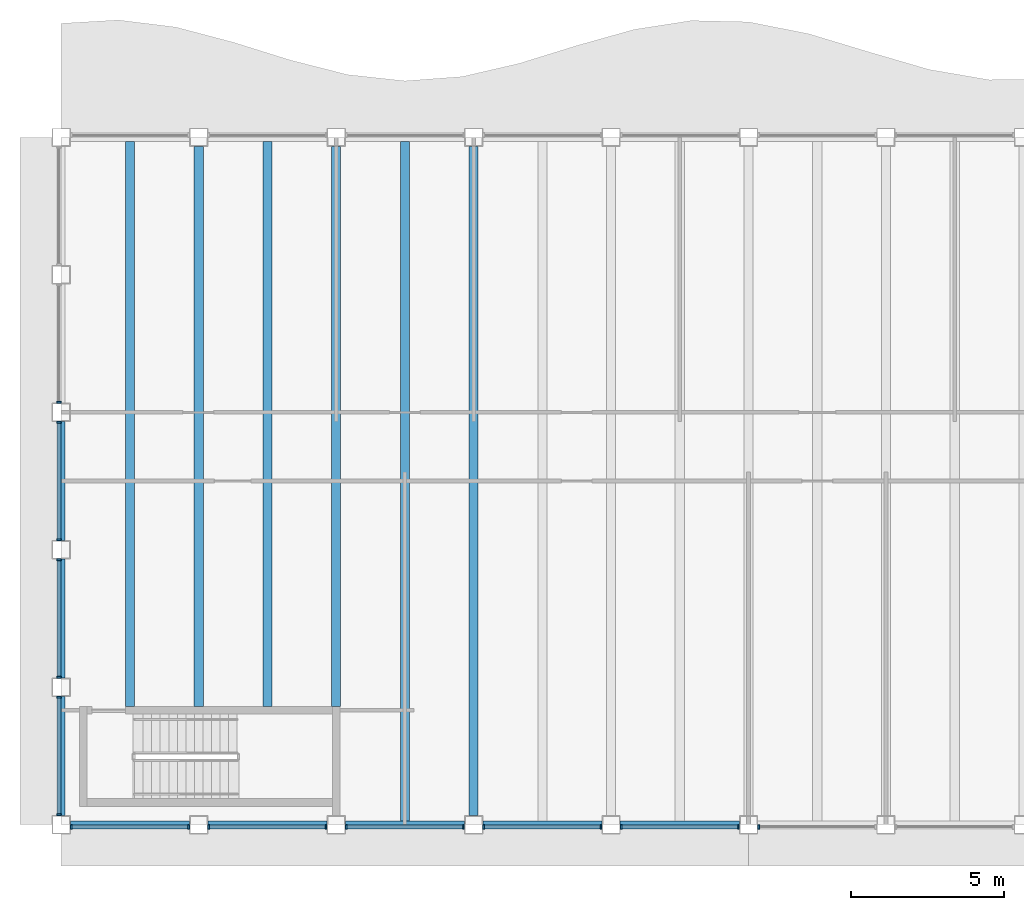
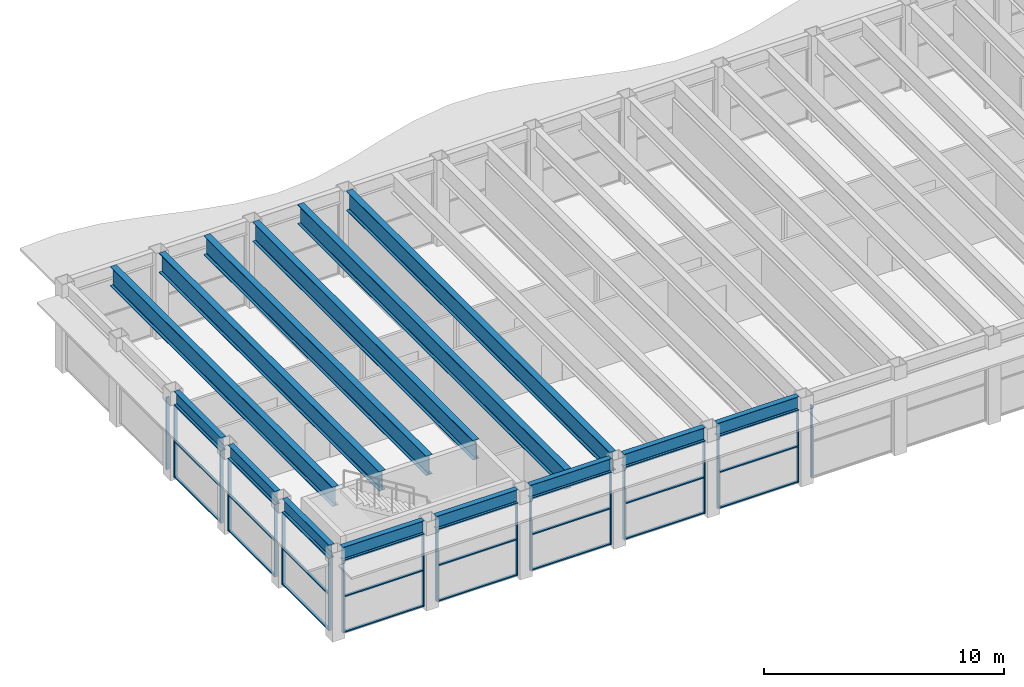
# One storey, part 2 of 15: 42 members, 14 beams, 10 elements without a shape of their own.
"""IFC4 building model written with IfcOpenShell, lengths in metres."""

import ifcopenshell
import ifcopenshell.guid

model = None  # the IFC model being written
_history = None  # IfcOwnerHistory: only IFC2X3 demands one
_inside = {}  # id of a spatial element -> (the spatial element, [elements in it])
_under = {}  # id of a project, library or spatial element -> (it, [spatial elements below it])
_declared = {}  # id of a project -> (the project, [libraries it declares])
_typed = {}  # id of a type object -> (the type object, [elements of that type])
_made_of = {}  # id of a material, layer set ... -> (it, [elements and type objects made of it])


def new_model(schema):
    """Start an empty IFC model of exactly this schema.

    Asked for "IFC4X3", IfcOpenShell would pick the latest addendum, in which some entities
    have other attributes; the version numbers below select the first issue.
    IFC2X3 requires an IfcOwnerHistory on every rooted entity: one is made here for all.
    """
    global model, _history
    if schema == "IFC4X3":
        model = ifcopenshell.file(schema_version=(4, 3, 0, 0))
    else:
        model = ifcopenshell.file(schema=schema)
    _inside.clear()
    _under.clear()
    _declared.clear()
    _typed.clear()
    _made_of.clear()
    _history = None
    if model.schema == "IFC2X3":
        org = make("IfcOrganization", Name="unknown")
        user = make(
            "IfcPersonAndOrganization",
            ThePerson=make("IfcPerson", FamilyName="unknown"),
            TheOrganization=org,
        )
        app = make(
            "IfcApplication",
            ApplicationDeveloper=org,
            Version="unknown",
            ApplicationFullName="unknown",
            ApplicationIdentifier="unknown",
        )
        _history = make(
            "IfcOwnerHistory",
            OwningUser=user,
            OwningApplication=app,
            ChangeAction="ADDED",
            CreationDate=0,
        )
    return model


def make(cls, **values):
    """One entity of the class cls with the attributes given. An attribute that is None is left unset."""
    return model.create_entity(
        cls, **{name: value for name, value in values.items() if value is not None}
    )


def rooted(cls, **values):
    """An entity with a GlobalId (a new one), such as an element, a storey or a relation."""
    return make(cls, GlobalId=ifcopenshell.guid.new(), OwnerHistory=_history, **values)


def si_unit(unit_type, name, prefix=None):
    """IfcSIUnit, for example si_unit("LENGTHUNIT", "METRE", prefix="MILLI")."""
    return make("IfcSIUnit", UnitType=unit_type, Prefix=prefix, Name=name)


def assignment(units):
    """IfcUnitAssignment: the units of a project."""
    return None if units is None else make("IfcUnitAssignment", Units=units)


def point(xyz):
    """IfcCartesianPoint."""
    return None if xyz is None else make("IfcCartesianPoint", Coordinates=xyz)


def direction(xyz):
    """IfcDirection."""
    return None if xyz is None else make("IfcDirection", DirectionRatios=xyz)


def frame(location, z_axis=None, x_axis=None):
    """IfcAxis2Placement3D, a coordinate frame: its origin and axes. An axis left out is left unset."""
    return make(
        "IfcAxis2Placement3D",
        Location=point(location),
        Axis=direction(z_axis),
        RefDirection=direction(x_axis),
    )


def frame_2d(location, x_axis=None):
    """IfcAxis2Placement2D, a coordinate frame in the plane: its origin and x axis."""
    return make(
        "IfcAxis2Placement2D", Location=point(location), RefDirection=direction(x_axis)
    )


def origin():
    """The frame at (0, 0, 0) with its axes left unset."""
    return frame((0.0, 0.0, 0.0))


def origin_2d():
    """The frame at (0, 0) in the plane with its x axis left unset."""
    return frame_2d((0.0, 0.0))


def place(relative_to, where):
    """IfcLocalPlacement: puts the frame where relative to a parent placement (None: the world)."""
    return make(
        "IfcLocalPlacement", PlacementRelTo=relative_to, RelativePlacement=where
    )


def context(
    kind, dimensions, precision=None, world=None, true_north=None, identifier=None
):
    """IfcGeometricRepresentationContext, for example the 3D "Model" context."""
    return make(
        "IfcGeometricRepresentationContext",
        ContextIdentifier=identifier,
        ContextType=kind,
        CoordinateSpaceDimension=dimensions,
        Precision=precision,
        WorldCoordinateSystem=world,
        TrueNorth=true_north,
    )


def subcontext(parent, identifier, kind, view, scale=None):
    """IfcGeometricRepresentationSubContext, for example "Body" below "Model"."""
    return make(
        "IfcGeometricRepresentationSubContext",
        ContextIdentifier=identifier,
        ContextType=kind,
        ParentContext=parent,
        TargetScale=scale,
        TargetView=view,
    )


def project(units=None, contexts=None):
    """IfcProject with its units and contexts."""
    return rooted(
        "IfcProject",
        Name="project",
        RepresentationContexts=contexts,
        UnitsInContext=assignment(units),
    )


def spatial(cls, under=None, at=None, **own):
    """A site, building, storey or space (cls), placed at a placement, below another one or the project."""
    s = rooted(cls, ObjectPlacement=at, **own)
    if under is not None:
        _under.setdefault(under.id(), (under, []))[1].append(s)
    return s


def profile(cls, at=None, kind="AREA", **sizes):
    """A parametric profile (cls). Its sizes go by their IFC names, for example OverallWidth=200.0."""
    return make(cls, ProfileType=kind, Position=at, **sizes)


def rectangle(**sizes):
    """IfcRectangleProfileDef."""
    return profile("IfcRectangleProfileDef", **sizes)


def i_section(**sizes):
    """IfcIShapeProfileDef."""
    return profile("IfcIShapeProfileDef", **sizes)


def extrude(swept, where, along, depth):
    """IfcExtrudedAreaSolid: the profile swept, set in the frame where, extruded along a direction by depth."""
    return make(
        "IfcExtrudedAreaSolid",
        SweptArea=swept,
        Position=where,
        ExtrudedDirection=direction(along),
        Depth=depth,
    )


def shape(context_of_items, identifier, shape_type, items):
    """IfcShapeRepresentation: the items that make up one representation, for example the "Body"."""
    return make(
        "IfcShapeRepresentation",
        ContextOfItems=context_of_items,
        RepresentationIdentifier=identifier,
        RepresentationType=shape_type,
        Items=items,
    )


def material(Name=None, Category=None):
    """IfcMaterial."""
    return make("IfcMaterial", Name=Name, Category=Category)


def material_profile(
    of_material, cross_section, Name=None, Category=None, Priority=None
):
    """IfcMaterialProfile: a cross section and its material."""
    return make(
        "IfcMaterialProfile",
        Name=Name,
        Material=of_material,
        Profile=cross_section,
        Priority=Priority,
        Category=Category,
    )


def profile_set(profiles, Name=None, composite=None):
    """IfcMaterialProfileSet."""
    return make(
        "IfcMaterialProfileSet",
        Name=Name,
        MaterialProfiles=profiles,
        CompositeProfile=composite,
    )


def made_of(thing, what):
    """Note that an element or type object is made of a material, layer set ...; save() writes the relation."""
    if what is not None:
        _made_of.setdefault(what.id(), (what, []))[1].append(thing)
    return thing


def type_object(cls, material=None, **own):
    """A type object (cls), such as IfcWallType, which elements share."""
    return made_of(rooted(cls, **own), material)


def element(
    cls,
    number,
    at=None,
    inside=None,
    cuts=None,
    type_object=None,
    material=None,
    context=None,
    identifier="Body",
    shape_type=None,
    held_by="IfcProductDefinitionShape",
    body=None,
    shapes=None,
    **own,
):
    """One element of the class cls, such as IfcWall. Its Tag is "e" and its number.

    at: its placement. inside: the storey or other place that contains it. cuts: it is an
    opening in that element (IfcRelVoidsElement). A single representation is given by context,
    identifier, shape_type and body (its items); several are given by shapes. held_by: the class
    of the entity that holds the representations. save() writes the other relations.
    """
    e = rooted(cls, Tag="e%d" % number, ObjectPlacement=at, **own)
    if body is not None:
        shapes = [shape(context, identifier, shape_type, body)]
    if shapes is not None:
        e.Representation = make(held_by, Representations=shapes)
    if inside is not None:
        _inside.setdefault(inside.id(), (inside, []))[1].append(e)
    if cuts is not None:
        rooted(
            "IfcRelVoidsElement", RelatingBuildingElement=cuts, RelatedOpeningElement=e
        )
    if type_object is not None:
        _typed.setdefault(type_object.id(), (type_object, []))[1].append(e)
    return made_of(e, material)


def aggregate(whole, parts):
    """IfcRelAggregates: a whole, such as a stair, and the parts it consists of."""
    return rooted("IfcRelAggregates", RelatingObject=whole, RelatedObjects=parts)


def save(model, path):
    """Write the relations noted so far, then the file.

    IfcRelAggregates (storeys below a building ...), IfcRelContainedInSpatialStructure (elements
    in a storey), IfcRelDefinesByType, IfcRelAssociatesMaterial and IfcRelDeclares: one each for
    every whole, place, type object, material and project.
    """
    for whole, parts in _under.values():
        aggregate(whole, parts)
    for where, things in _inside.values():
        rooted(
            "IfcRelContainedInSpatialStructure",
            RelatedElements=things,
            RelatingStructure=where,
        )
    for kind, things in _typed.values():
        rooted("IfcRelDefinesByType", RelatedObjects=things, RelatingType=kind)
    for what, things in _made_of.values():
        rooted("IfcRelAssociatesMaterial", RelatedObjects=things, RelatingMaterial=what)
    for by, libraries in _declared.values():
        rooted("IfcRelDeclares", RelatingContext=by, RelatedDefinitions=libraries)
    model.write(path)


model = new_model("IFC4")

# Units and contexts
model_context = context("Model", 3, precision=1e-05, world=origin(), true_north=direction((0.0, 1.0)))
body_context = subcontext(model_context, "Body", "Model", "MODEL_VIEW")
ifc_project = project(units=[si_unit("LENGTHUNIT", "METRE"), si_unit("AREAUNIT", "SQUARE_METRE"), si_unit("VOLUMEUNIT", "CUBIC_METRE"), si_unit("PLANEANGLEUNIT", "RADIAN"), si_unit("MASSUNIT", "GRAM", prefix="KILO")], contexts=[model_context])

# Site, building, storey
site_placement = place(None, origin())
site = spatial("IfcSite", under=ifc_project, at=site_placement, CompositionType="ELEMENT")
building_placement = place(site_placement, origin())
building = spatial("IfcBuilding", under=site, at=building_placement, Name="Sennacour Bend Tower", CompositionType="ELEMENT")
storey_placement = place(building_placement, frame((0.0, 0.0, 318.5)))
storey = spatial("IfcBuildingStorey", under=building, at=storey_placement, Name="L73", CompositionType="ELEMENT", Elevation=318.5)

# Curtain wall, members
ifc_material_1 = material(Name="Bronze anodised aluminium curtain wall with clear glass", Category="aluminium")
curtain_wall_type = type_object("IfcCurtainWallType", Name="CURTAIN WALL EXEC", PredefinedType="NOTDEFINED", material=ifc_material_1)
curtain_wall_1_placement = place(storey_placement, origin())
curtain_wall_1 = element("IfcCurtainWall", 1, at=curtain_wall_1_placement, inside=storey, type_object=curtain_wall_type, Name="Executive floor glass wall L73", PredefinedType="NOTDEFINED")
ifc_material_2 = material(Name="Aluminium 6063-T6", Category="aluminium")
ifc_material_profile_1 = material_profile(ifc_material_2, rectangle(XDim=0.14990234375, YDim=0.06005859375, at=origin_2d()), Name="Aluminium 6063-T6", Category="aluminium")
ifc_profile_set_1 = profile_set([ifc_material_profile_1], Name="Aluminium 6063-T6")
member_type_1 = type_object("IfcMemberType", Name="CW-MULLION-150X60", PredefinedType="MULLION", material=ifc_profile_set_1)
member_1_placement = place(storey_placement, frame((0.330078125, -0.074951171875, 0.0), z_axis=(0.0, 0.0, 1.0), x_axis=(0.0, 1.0, 0.0)))
member_1 = element("IfcMember", 2, at=member_1_placement, type_object=member_type_1, Name="GW3 curtain wall mullion 1", PredefinedType="MULLION", context=body_context, shape_type="SweptSolid", body=[
    extrude(rectangle(XDim=0.14990234375, YDim=0.06005859375, at=origin_2d()), origin(), (0.0, 0.0, 1.0), 3.672119140625),
])
member_2_placement = place(storey_placement, frame((4.169921875, -0.074951171875, 0.0), z_axis=(0.0, 0.0, 1.0), x_axis=(0.0, 1.0, 0.0)))
member_2 = element("IfcMember", 3, at=member_2_placement, type_object=member_type_1, Name="GW3 curtain wall mullion 2", PredefinedType="MULLION", context=body_context, shape_type="SweptSolid", body=[
    extrude(rectangle(XDim=0.14990234375, YDim=0.06005859375, at=origin_2d()), origin(), (0.0, 0.0, 1.0), 3.672119140625),
])

curtain_wall_2_placement = place(storey_placement, origin())
curtain_wall_2 = element("IfcCurtainWall", 4, at=curtain_wall_2_placement, inside=storey, type_object=curtain_wall_type, Name="Executive floor glass wall L73", PredefinedType="NOTDEFINED")
member_3_placement = place(storey_placement, frame((4.830078125, -0.074951171875, 0.0), z_axis=(0.0, 0.0, 1.0), x_axis=(0.0, 1.0, 0.0)))
member_3 = element("IfcMember", 5, at=member_3_placement, type_object=member_type_1, Name="GW3 curtain wall mullion 1", PredefinedType="MULLION", context=body_context, shape_type="SweptSolid", body=[
    extrude(rectangle(XDim=0.14990234375, YDim=0.06005859375, at=origin_2d()), origin(), (0.0, 0.0, 1.0), 3.672119140625),
])
member_4_placement = place(storey_placement, frame((8.669921875, -0.074951171875, 0.0), z_axis=(0.0, 0.0, 1.0), x_axis=(0.0, 1.0, 0.0)))
member_4 = element("IfcMember", 6, at=member_4_placement, type_object=member_type_1, Name="GW3 curtain wall mullion 2", PredefinedType="MULLION", context=body_context, shape_type="SweptSolid", body=[
    extrude(rectangle(XDim=0.14990234375, YDim=0.06005859375, at=origin_2d()), origin(), (0.0, 0.0, 1.0), 3.672119140625),
])

curtain_wall_3_placement = place(storey_placement, origin())
curtain_wall_3 = element("IfcCurtainWall", 7, at=curtain_wall_3_placement, inside=storey, type_object=curtain_wall_type, Name="Executive floor glass wall L73", PredefinedType="NOTDEFINED")
member_5_placement = place(storey_placement, frame((9.330078125, -0.074951171875, 0.0), z_axis=(0.0, 0.0, 1.0), x_axis=(0.0, 1.0, 0.0)))
member_5 = element("IfcMember", 8, at=member_5_placement, type_object=member_type_1, Name="GW3 curtain wall mullion 1", PredefinedType="MULLION", context=body_context, shape_type="SweptSolid", body=[
    extrude(rectangle(XDim=0.14990234375, YDim=0.06005859375, at=origin_2d()), origin(), (0.0, 0.0, 1.0), 3.672119140625),
])
member_6_placement = place(storey_placement, frame((13.169921875, -0.074951171875, 0.0), z_axis=(0.0, 0.0, 1.0), x_axis=(0.0, 1.0, 0.0)))
member_6 = element("IfcMember", 9, at=member_6_placement, type_object=member_type_1, Name="GW3 curtain wall mullion 2", PredefinedType="MULLION", context=body_context, shape_type="SweptSolid", body=[
    extrude(rectangle(XDim=0.14990234375, YDim=0.06005859375, at=origin_2d()), origin(), (0.0, 0.0, 1.0), 3.672119140625),
])

curtain_wall_4_placement = place(storey_placement, origin())
curtain_wall_4 = element("IfcCurtainWall", 10, at=curtain_wall_4_placement, inside=storey, type_object=curtain_wall_type, Name="Executive floor glass wall L73", PredefinedType="NOTDEFINED")
member_7_placement = place(storey_placement, frame((13.830078125, -0.074951171875, 0.0), z_axis=(0.0, 0.0, 1.0), x_axis=(0.0, 1.0, 0.0)))
member_7 = element("IfcMember", 11, at=member_7_placement, type_object=member_type_1, Name="GW3 curtain wall mullion 1", PredefinedType="MULLION", context=body_context, shape_type="SweptSolid", body=[
    extrude(rectangle(XDim=0.14990234375, YDim=0.06005859375, at=origin_2d()), origin(), (0.0, 0.0, 1.0), 3.672119140625),
])
member_8_placement = place(storey_placement, frame((17.669921875, -0.074951171875, 0.0), z_axis=(0.0, 0.0, 1.0), x_axis=(0.0, 1.0, 0.0)))
member_8 = element("IfcMember", 12, at=member_8_placement, type_object=member_type_1, Name="GW3 curtain wall mullion 2", PredefinedType="MULLION", context=body_context, shape_type="SweptSolid", body=[
    extrude(rectangle(XDim=0.14990234375, YDim=0.06005859375, at=origin_2d()), origin(), (0.0, 0.0, 1.0), 3.672119140625),
])

curtain_wall_5_placement = place(storey_placement, origin())
curtain_wall_5 = element("IfcCurtainWall", 13, at=curtain_wall_5_placement, inside=storey, type_object=curtain_wall_type, Name="Executive floor glass wall L73", PredefinedType="NOTDEFINED")
member_9_placement = place(storey_placement, frame((18.330078125, -0.074951171875, 0.0), z_axis=(0.0, 0.0, 1.0), x_axis=(0.0, 1.0, 0.0)))
member_9 = element("IfcMember", 14, at=member_9_placement, type_object=member_type_1, Name="GW3 curtain wall mullion 1", PredefinedType="MULLION", context=body_context, shape_type="SweptSolid", body=[
    extrude(rectangle(XDim=0.14990234375, YDim=0.06005859375, at=origin_2d()), origin(), (0.0, 0.0, 1.0), 3.672119140625),
])
member_10_placement = place(storey_placement, frame((22.169921875, -0.074951171875, 0.0), z_axis=(0.0, 0.0, 1.0), x_axis=(0.0, 1.0, 0.0)))
member_10 = element("IfcMember", 15, at=member_10_placement, type_object=member_type_1, Name="GW3 curtain wall mullion 2", PredefinedType="MULLION", context=body_context, shape_type="SweptSolid", body=[
    extrude(rectangle(XDim=0.14990234375, YDim=0.06005859375, at=origin_2d()), origin(), (0.0, 0.0, 1.0), 3.672119140625),
])

# Curtain wall, member
curtain_wall_6_placement = place(storey_placement, origin())
curtain_wall_6 = element("IfcCurtainWall", 16, at=curtain_wall_6_placement, inside=storey, type_object=curtain_wall_type, Name="Executive floor glass wall L73", PredefinedType="NOTDEFINED")
member_11_placement = place(storey_placement, frame((22.830078125, -0.074951171875, 0.0), z_axis=(0.0, 0.0, 1.0), x_axis=(0.0, 1.0, 0.0)))
member_11 = element("IfcMember", 17, at=member_11_placement, type_object=member_type_1, Name="GW3 curtain wall mullion 1", PredefinedType="MULLION", context=body_context, shape_type="SweptSolid", body=[
    extrude(rectangle(XDim=0.14990234375, YDim=0.06005859375, at=origin_2d()), origin(), (0.0, 0.0, 1.0), 3.672119140625),
])
aggregate(curtain_wall_6, [member_11])

curtain_wall_7_placement = place(storey_placement, origin())
curtain_wall_7 = element("IfcCurtainWall", 18, at=curtain_wall_7_placement, inside=storey, type_object=curtain_wall_type, Name="Executive floor glass wall L73", PredefinedType="NOTDEFINED")
member_12_placement = place(storey_placement, frame((-0.074951171875, 13.830078125, 0.0), z_axis=(0.0, 0.0, 1.0), x_axis=(1.0, 0.0, 0.0)))
member_12 = element("IfcMember", 19, at=member_12_placement, type_object=member_type_1, Name="GW3 curtain wall mullion 2", PredefinedType="MULLION", context=body_context, shape_type="SweptSolid", body=[
    extrude(rectangle(XDim=0.14990234375, YDim=0.06005859375, at=origin_2d()), origin(), (0.0, 0.0, 1.0), 3.672119140625),
])
aggregate(curtain_wall_7, [member_12])

# Curtain wall, members
curtain_wall_8_placement = place(storey_placement, origin())
curtain_wall_8 = element("IfcCurtainWall", 20, at=curtain_wall_8_placement, inside=storey, type_object=curtain_wall_type, Name="Executive floor glass wall L73", PredefinedType="NOTDEFINED")
member_13_placement = place(storey_placement, frame((-0.074951171875, 13.169921875, 0.0), z_axis=(0.0, 0.0, 1.0), x_axis=(1.0, 0.0, 0.0)))
member_13 = element("IfcMember", 21, at=member_13_placement, type_object=member_type_1, Name="GW3 curtain wall mullion 1", PredefinedType="MULLION", context=body_context, shape_type="SweptSolid", body=[
    extrude(rectangle(XDim=0.14990234375, YDim=0.06005859375, at=origin_2d()), origin(), (0.0, 0.0, 1.0), 3.672119140625),
])
member_14_placement = place(storey_placement, frame((-0.074951171875, 9.330078125, 0.0), z_axis=(0.0, 0.0, 1.0), x_axis=(1.0, 0.0, 0.0)))
member_14 = element("IfcMember", 22, at=member_14_placement, type_object=member_type_1, Name="GW3 curtain wall mullion 2", PredefinedType="MULLION", context=body_context, shape_type="SweptSolid", body=[
    extrude(rectangle(XDim=0.14990234375, YDim=0.06005859375, at=origin_2d()), origin(), (0.0, 0.0, 1.0), 3.672119140625),
])

curtain_wall_9_placement = place(storey_placement, origin())
curtain_wall_9 = element("IfcCurtainWall", 23, at=curtain_wall_9_placement, inside=storey, type_object=curtain_wall_type, Name="Executive floor glass wall L73", PredefinedType="NOTDEFINED")
member_15_placement = place(storey_placement, frame((-0.074951171875, 8.669921875, 0.0), z_axis=(0.0, 0.0, 1.0), x_axis=(1.0, 0.0, 0.0)))
member_15 = element("IfcMember", 24, at=member_15_placement, type_object=member_type_1, Name="GW3 curtain wall mullion 1", PredefinedType="MULLION", context=body_context, shape_type="SweptSolid", body=[
    extrude(rectangle(XDim=0.14990234375, YDim=0.06005859375, at=origin_2d()), origin(), (0.0, 0.0, 1.0), 3.672119140625),
])
member_16_placement = place(storey_placement, frame((-0.074951171875, 4.830078125, 0.0), z_axis=(0.0, 0.0, 1.0), x_axis=(1.0, 0.0, 0.0)))
member_16 = element("IfcMember", 25, at=member_16_placement, type_object=member_type_1, Name="GW3 curtain wall mullion 2", PredefinedType="MULLION", context=body_context, shape_type="SweptSolid", body=[
    extrude(rectangle(XDim=0.14990234375, YDim=0.06005859375, at=origin_2d()), origin(), (0.0, 0.0, 1.0), 3.672119140625),
])

curtain_wall_10_placement = place(storey_placement, origin())
curtain_wall_10 = element("IfcCurtainWall", 26, at=curtain_wall_10_placement, inside=storey, type_object=curtain_wall_type, Name="Executive floor glass wall L73", PredefinedType="NOTDEFINED")
member_17_placement = place(storey_placement, frame((-0.074951171875, 4.169921875, 0.0), z_axis=(0.0, 0.0, 1.0), x_axis=(1.0, 0.0, 0.0)))
member_17 = element("IfcMember", 27, at=member_17_placement, type_object=member_type_1, Name="GW3 curtain wall mullion 1", PredefinedType="MULLION", context=body_context, shape_type="SweptSolid", body=[
    extrude(rectangle(XDim=0.14990234375, YDim=0.06005859375, at=origin_2d()), origin(), (0.0, 0.0, 1.0), 3.672119140625),
])
member_18_placement = place(storey_placement, frame((-0.074951171875, 0.330078125, 0.0), z_axis=(0.0, 0.0, 1.0), x_axis=(1.0, 0.0, 0.0)))
member_18 = element("IfcMember", 28, at=member_18_placement, type_object=member_type_1, Name="GW3 curtain wall mullion 2", PredefinedType="MULLION", context=body_context, shape_type="SweptSolid", body=[
    extrude(rectangle(XDim=0.14990234375, YDim=0.06005859375, at=origin_2d()), origin(), (0.0, 0.0, 1.0), 3.672119140625),
])

# Member
ifc_material_profile_2 = material_profile(ifc_material_2, rectangle(XDim=0.1201171875, YDim=0.06005859375, at=origin_2d()), Name="Aluminium 6063-T6", Category="aluminium")
ifc_profile_set_2 = profile_set([ifc_material_profile_2], Name="Aluminium 6063-T6")
member_type_2 = type_object("IfcMemberType", Name="CW-TRANSOM-120X60", PredefinedType="USERDEFINED", material=ifc_profile_set_2)
member_19_placement = place(storey_placement, frame((0.360107421875, -0.074951171875, 0.030029296875), z_axis=(1.0, 0.0, 0.0), x_axis=(0.0, 1.0, 0.0)))
member_19 = element("IfcMember", 29, at=member_19_placement, type_object=member_type_2, Name="GW3 curtain wall transom 1.1", ObjectType="TRANSOM", PredefinedType="USERDEFINED", context=body_context, shape_type="SweptSolid", body=[
    extrude(rectangle(XDim=0.1201171875, YDim=0.06005859375, at=origin_2d()), origin(), (0.0, 0.0, 1.0), 3.77978515625),
])

member_20_placement = place(storey_placement, frame((0.360107421875, -0.074951171875, 1.8359375), z_axis=(1.0, 0.0, 0.0), x_axis=(0.0, 1.0, 0.0)))
member_20 = element("IfcMember", 30, at=member_20_placement, type_object=member_type_2, Name="GW3 curtain wall transom 1.2", ObjectType="TRANSOM", PredefinedType="USERDEFINED", context=body_context, shape_type="SweptSolid", body=[
    extrude(rectangle(XDim=0.1201171875, YDim=0.06005859375, at=origin_2d()), origin(), (0.0, 0.0, 1.0), 3.77978515625),
])

member_21_placement = place(storey_placement, frame((0.360107421875, -0.074951171875, 3.64208984375), z_axis=(1.0, 0.0, 0.0), x_axis=(0.0, 1.0, 0.0)))
member_21 = element("IfcMember", 31, at=member_21_placement, type_object=member_type_2, Name="GW3 curtain wall transom 1.3", ObjectType="TRANSOM", PredefinedType="USERDEFINED", context=body_context, shape_type="SweptSolid", body=[
    extrude(rectangle(XDim=0.1201171875, YDim=0.06005859375, at=origin_2d()), origin(), (0.0, 0.0, 1.0), 3.77978515625),
])

aggregate(curtain_wall_1, [member_1, member_2, member_19, member_20, member_21])

member_22_placement = place(storey_placement, frame((4.860107421875, -0.074951171875, 0.030029296875), z_axis=(1.0, 0.0, 0.0), x_axis=(0.0, 1.0, 0.0)))
member_22 = element("IfcMember", 32, at=member_22_placement, type_object=member_type_2, Name="GW3 curtain wall transom 1.1", ObjectType="TRANSOM", PredefinedType="USERDEFINED", context=body_context, shape_type="SweptSolid", body=[
    extrude(rectangle(XDim=0.1201171875, YDim=0.06005859375, at=origin_2d()), origin(), (0.0, 0.0, 1.0), 3.77978515625),
])

member_23_placement = place(storey_placement, frame((4.860107421875, -0.074951171875, 1.8359375), z_axis=(1.0, 0.0, 0.0), x_axis=(0.0, 1.0, 0.0)))
member_23 = element("IfcMember", 33, at=member_23_placement, type_object=member_type_2, Name="GW3 curtain wall transom 1.2", ObjectType="TRANSOM", PredefinedType="USERDEFINED", context=body_context, shape_type="SweptSolid", body=[
    extrude(rectangle(XDim=0.1201171875, YDim=0.06005859375, at=origin_2d()), origin(), (0.0, 0.0, 1.0), 3.77978515625),
])

member_24_placement = place(storey_placement, frame((4.860107421875, -0.074951171875, 3.64208984375), z_axis=(1.0, 0.0, 0.0), x_axis=(0.0, 1.0, 0.0)))
member_24 = element("IfcMember", 34, at=member_24_placement, type_object=member_type_2, Name="GW3 curtain wall transom 1.3", ObjectType="TRANSOM", PredefinedType="USERDEFINED", context=body_context, shape_type="SweptSolid", body=[
    extrude(rectangle(XDim=0.1201171875, YDim=0.06005859375, at=origin_2d()), origin(), (0.0, 0.0, 1.0), 3.77978515625),
])

aggregate(curtain_wall_2, [member_3, member_4, member_22, member_23, member_24])

member_25_placement = place(storey_placement, frame((9.360107421875, -0.074951171875, 0.030029296875), z_axis=(1.0, 0.0, 0.0), x_axis=(0.0, 1.0, 0.0)))
member_25 = element("IfcMember", 35, at=member_25_placement, type_object=member_type_2, Name="GW3 curtain wall transom 1.1", ObjectType="TRANSOM", PredefinedType="USERDEFINED", context=body_context, shape_type="SweptSolid", body=[
    extrude(rectangle(XDim=0.1201171875, YDim=0.06005859375, at=origin_2d()), origin(), (0.0, 0.0, 1.0), 3.77978515625),
])

member_26_placement = place(storey_placement, frame((9.360107421875, -0.074951171875, 1.8359375), z_axis=(1.0, 0.0, 0.0), x_axis=(0.0, 1.0, 0.0)))
member_26 = element("IfcMember", 36, at=member_26_placement, type_object=member_type_2, Name="GW3 curtain wall transom 1.2", ObjectType="TRANSOM", PredefinedType="USERDEFINED", context=body_context, shape_type="SweptSolid", body=[
    extrude(rectangle(XDim=0.1201171875, YDim=0.06005859375, at=origin_2d()), origin(), (0.0, 0.0, 1.0), 3.77978515625),
])

member_27_placement = place(storey_placement, frame((9.360107421875, -0.074951171875, 3.64208984375), z_axis=(1.0, 0.0, 0.0), x_axis=(0.0, 1.0, 0.0)))
member_27 = element("IfcMember", 37, at=member_27_placement, type_object=member_type_2, Name="GW3 curtain wall transom 1.3", ObjectType="TRANSOM", PredefinedType="USERDEFINED", context=body_context, shape_type="SweptSolid", body=[
    extrude(rectangle(XDim=0.1201171875, YDim=0.06005859375, at=origin_2d()), origin(), (0.0, 0.0, 1.0), 3.77978515625),
])

aggregate(curtain_wall_3, [member_5, member_6, member_25, member_26, member_27])

member_28_placement = place(storey_placement, frame((13.860107421875, -0.074951171875, 0.030029296875), z_axis=(1.0, 0.0, 0.0), x_axis=(0.0, 1.0, 0.0)))
member_28 = element("IfcMember", 38, at=member_28_placement, type_object=member_type_2, Name="GW3 curtain wall transom 1.1", ObjectType="TRANSOM", PredefinedType="USERDEFINED", context=body_context, shape_type="SweptSolid", body=[
    extrude(rectangle(XDim=0.1201171875, YDim=0.06005859375, at=origin_2d()), origin(), (0.0, 0.0, 1.0), 3.77978515625),
])

member_29_placement = place(storey_placement, frame((13.860107421875, -0.074951171875, 1.8359375), z_axis=(1.0, 0.0, 0.0), x_axis=(0.0, 1.0, 0.0)))
member_29 = element("IfcMember", 39, at=member_29_placement, type_object=member_type_2, Name="GW3 curtain wall transom 1.2", ObjectType="TRANSOM", PredefinedType="USERDEFINED", context=body_context, shape_type="SweptSolid", body=[
    extrude(rectangle(XDim=0.1201171875, YDim=0.06005859375, at=origin_2d()), origin(), (0.0, 0.0, 1.0), 3.77978515625),
])

member_30_placement = place(storey_placement, frame((13.860107421875, -0.074951171875, 3.64208984375), z_axis=(1.0, 0.0, 0.0), x_axis=(0.0, 1.0, 0.0)))
member_30 = element("IfcMember", 40, at=member_30_placement, type_object=member_type_2, Name="GW3 curtain wall transom 1.3", ObjectType="TRANSOM", PredefinedType="USERDEFINED", context=body_context, shape_type="SweptSolid", body=[
    extrude(rectangle(XDim=0.1201171875, YDim=0.06005859375, at=origin_2d()), origin(), (0.0, 0.0, 1.0), 3.77978515625),
])

aggregate(curtain_wall_4, [member_7, member_8, member_28, member_29, member_30])

member_31_placement = place(storey_placement, frame((18.360107421875, -0.074951171875, 0.030029296875), z_axis=(1.0, 0.0, 0.0), x_axis=(0.0, 1.0, 0.0)))
member_31 = element("IfcMember", 41, at=member_31_placement, type_object=member_type_2, Name="GW3 curtain wall transom 1.1", ObjectType="TRANSOM", PredefinedType="USERDEFINED", context=body_context, shape_type="SweptSolid", body=[
    extrude(rectangle(XDim=0.1201171875, YDim=0.06005859375, at=origin_2d()), origin(), (0.0, 0.0, 1.0), 3.77978515625),
])

member_32_placement = place(storey_placement, frame((18.360107421875, -0.074951171875, 1.8359375), z_axis=(1.0, 0.0, 0.0), x_axis=(0.0, 1.0, 0.0)))
member_32 = element("IfcMember", 42, at=member_32_placement, type_object=member_type_2, Name="GW3 curtain wall transom 1.2", ObjectType="TRANSOM", PredefinedType="USERDEFINED", context=body_context, shape_type="SweptSolid", body=[
    extrude(rectangle(XDim=0.1201171875, YDim=0.06005859375, at=origin_2d()), origin(), (0.0, 0.0, 1.0), 3.77978515625),
])

member_33_placement = place(storey_placement, frame((18.360107421875, -0.074951171875, 3.64208984375), z_axis=(1.0, 0.0, 0.0), x_axis=(0.0, 1.0, 0.0)))
member_33 = element("IfcMember", 43, at=member_33_placement, type_object=member_type_2, Name="GW3 curtain wall transom 1.3", ObjectType="TRANSOM", PredefinedType="USERDEFINED", context=body_context, shape_type="SweptSolid", body=[
    extrude(rectangle(XDim=0.1201171875, YDim=0.06005859375, at=origin_2d()), origin(), (0.0, 0.0, 1.0), 3.77978515625),
])

aggregate(curtain_wall_5, [member_9, member_10, member_31, member_32, member_33])

member_34_placement = place(storey_placement, frame((-0.074951171875, 13.139892578125, 0.030029296875), z_axis=(0.0, -1.0, 0.0), x_axis=(1.0, 0.0, 0.0)))
member_34 = element("IfcMember", 44, at=member_34_placement, type_object=member_type_2, Name="GW3 curtain wall transom 1.1", ObjectType="TRANSOM", PredefinedType="USERDEFINED", context=body_context, shape_type="SweptSolid", body=[
    extrude(rectangle(XDim=0.1201171875, YDim=0.06005859375, at=origin_2d()), origin(), (0.0, 0.0, 1.0), 3.77978515625),
])

member_35_placement = place(storey_placement, frame((-0.074951171875, 13.139892578125, 1.8359375), z_axis=(0.0, -1.0, 0.0), x_axis=(1.0, 0.0, 0.0)))
member_35 = element("IfcMember", 45, at=member_35_placement, type_object=member_type_2, Name="GW3 curtain wall transom 1.2", ObjectType="TRANSOM", PredefinedType="USERDEFINED", context=body_context, shape_type="SweptSolid", body=[
    extrude(rectangle(XDim=0.1201171875, YDim=0.06005859375, at=origin_2d()), origin(), (0.0, 0.0, 1.0), 3.77978515625),
])

member_36_placement = place(storey_placement, frame((-0.074951171875, 13.139892578125, 3.64208984375), z_axis=(0.0, -1.0, 0.0), x_axis=(1.0, 0.0, 0.0)))
member_36 = element("IfcMember", 46, at=member_36_placement, type_object=member_type_2, Name="GW3 curtain wall transom 1.3", ObjectType="TRANSOM", PredefinedType="USERDEFINED", context=body_context, shape_type="SweptSolid", body=[
    extrude(rectangle(XDim=0.1201171875, YDim=0.06005859375, at=origin_2d()), origin(), (0.0, 0.0, 1.0), 3.77978515625),
])

aggregate(curtain_wall_8, [member_13, member_14, member_34, member_35, member_36])

member_37_placement = place(storey_placement, frame((-0.074951171875, 8.639892578125, 0.030029296875), z_axis=(0.0, -1.0, 0.0), x_axis=(1.0, 0.0, 0.0)))
member_37 = element("IfcMember", 47, at=member_37_placement, type_object=member_type_2, Name="GW3 curtain wall transom 1.1", ObjectType="TRANSOM", PredefinedType="USERDEFINED", context=body_context, shape_type="SweptSolid", body=[
    extrude(rectangle(XDim=0.1201171875, YDim=0.06005859375, at=origin_2d()), origin(), (0.0, 0.0, 1.0), 3.77978515625),
])

member_38_placement = place(storey_placement, frame((-0.074951171875, 8.639892578125, 1.8359375), z_axis=(0.0, -1.0, 0.0), x_axis=(1.0, 0.0, 0.0)))
member_38 = element("IfcMember", 48, at=member_38_placement, type_object=member_type_2, Name="GW3 curtain wall transom 1.2", ObjectType="TRANSOM", PredefinedType="USERDEFINED", context=body_context, shape_type="SweptSolid", body=[
    extrude(rectangle(XDim=0.1201171875, YDim=0.06005859375, at=origin_2d()), origin(), (0.0, 0.0, 1.0), 3.77978515625),
])

member_39_placement = place(storey_placement, frame((-0.074951171875, 8.639892578125, 3.64208984375), z_axis=(0.0, -1.0, 0.0), x_axis=(1.0, 0.0, 0.0)))
member_39 = element("IfcMember", 49, at=member_39_placement, type_object=member_type_2, Name="GW3 curtain wall transom 1.3", ObjectType="TRANSOM", PredefinedType="USERDEFINED", context=body_context, shape_type="SweptSolid", body=[
    extrude(rectangle(XDim=0.1201171875, YDim=0.06005859375, at=origin_2d()), origin(), (0.0, 0.0, 1.0), 3.77978515625),
])

aggregate(curtain_wall_9, [member_15, member_16, member_37, member_38, member_39])

member_40_placement = place(storey_placement, frame((-0.074951171875, 4.139892578125, 0.030029296875), z_axis=(0.0, -1.0, 0.0), x_axis=(1.0, 0.0, 0.0)))
member_40 = element("IfcMember", 50, at=member_40_placement, type_object=member_type_2, Name="GW3 curtain wall transom 1.1", ObjectType="TRANSOM", PredefinedType="USERDEFINED", context=body_context, shape_type="SweptSolid", body=[
    extrude(rectangle(XDim=0.1201171875, YDim=0.06005859375, at=origin_2d()), origin(), (0.0, 0.0, 1.0), 3.77978515625),
])

member_41_placement = place(storey_placement, frame((-0.074951171875, 4.139892578125, 1.8359375), z_axis=(0.0, -1.0, 0.0), x_axis=(1.0, 0.0, 0.0)))
member_41 = element("IfcMember", 51, at=member_41_placement, type_object=member_type_2, Name="GW3 curtain wall transom 1.2", ObjectType="TRANSOM", PredefinedType="USERDEFINED", context=body_context, shape_type="SweptSolid", body=[
    extrude(rectangle(XDim=0.1201171875, YDim=0.06005859375, at=origin_2d()), origin(), (0.0, 0.0, 1.0), 3.77978515625),
])

member_42_placement = place(storey_placement, frame((-0.074951171875, 4.139892578125, 3.64208984375), z_axis=(0.0, -1.0, 0.0), x_axis=(1.0, 0.0, 0.0)))
member_42 = element("IfcMember", 52, at=member_42_placement, type_object=member_type_2, Name="GW3 curtain wall transom 1.3", ObjectType="TRANSOM", PredefinedType="USERDEFINED", context=body_context, shape_type="SweptSolid", body=[
    extrude(rectangle(XDim=0.1201171875, YDim=0.06005859375, at=origin_2d()), origin(), (0.0, 0.0, 1.0), 3.77978515625),
])

aggregate(curtain_wall_10, [member_17, member_18, member_40, member_41, member_42])

# Beams
ifc_material_3 = material(Name="Steel ASTM A992 Grade 50", Category="steel")
ifc_material_profile_3 = material_profile(ifc_material_3, i_section(OverallWidth=0.300048828125, OverallDepth=0.990966796875, WebThickness=0.0166015625, FlangeThickness=0.030517578125, FilletRadius=0.030029296875, at=origin_2d()), Name="Steel ASTM A992 Grade 50", Category="steel")
ifc_profile_set_3 = profile_set([ifc_material_profile_3], Name="Steel ASTM A992 Grade 50")
beam_type_1 = type_object("IfcBeamType", Name="Floor beam W1000X272", PredefinedType="BEAM", material=ifc_profile_set_3)
beam_1_placement = place(storey_placement, frame((2.25, 3.875, 3.8544921875), z_axis=(0.0, 1.0, 0.0), x_axis=(-1.0, 0.0, 0.0)))
element("IfcBeam", 53, at=beam_1_placement, inside=storey, type_object=beam_type_1, Name="Floor beam FBM3 L74-001", PredefinedType="BEAM", context=body_context, shape_type="SweptSolid", body=[
    extrude(i_section(OverallWidth=0.300048828125, OverallDepth=0.990966796875, WebThickness=0.0166015625, FlangeThickness=0.030517578125, FilletRadius=0.030029296875, at=origin_2d()), origin(), (0.0, 0.0, 1.0), 18.498046875),
])
beam_2_placement = place(storey_placement, frame((4.5, 3.875, 3.8544921875), z_axis=(0.0, 1.0, 0.0), x_axis=(-1.0, 0.0, 0.0)))
element("IfcBeam", 54, at=beam_2_placement, inside=storey, type_object=beam_type_1, Name="Floor beam FBM3 L74-002", PredefinedType="BEAM", context=body_context, shape_type="SweptSolid", body=[
    extrude(i_section(OverallWidth=0.300048828125, OverallDepth=0.990966796875, WebThickness=0.0166015625, FlangeThickness=0.030517578125, FilletRadius=0.030029296875, at=origin_2d()), origin(), (0.0, 0.0, 1.0), 18.324951171875),
])
beam_3_placement = place(storey_placement, frame((6.75, 3.875, 3.8544921875), z_axis=(0.0, 1.0, 0.0), x_axis=(-1.0, 0.0, 0.0)))
element("IfcBeam", 55, at=beam_3_placement, inside=storey, type_object=beam_type_1, Name="Floor beam FBM3 L74-003", PredefinedType="BEAM", context=body_context, shape_type="SweptSolid", body=[
    extrude(i_section(OverallWidth=0.300048828125, OverallDepth=0.990966796875, WebThickness=0.0166015625, FlangeThickness=0.030517578125, FilletRadius=0.030029296875, at=origin_2d()), origin(), (0.0, 0.0, 1.0), 18.498046875),
])
beam_4_placement = place(storey_placement, frame((9.0, 3.875, 3.8544921875), z_axis=(0.0, 1.0, 0.0), x_axis=(-1.0, 0.0, 0.0)))
element("IfcBeam", 56, at=beam_4_placement, inside=storey, type_object=beam_type_1, Name="Floor beam FBM3 L74-004", PredefinedType="BEAM", context=body_context, shape_type="SweptSolid", body=[
    extrude(i_section(OverallWidth=0.300048828125, OverallDepth=0.990966796875, WebThickness=0.0166015625, FlangeThickness=0.030517578125, FilletRadius=0.030029296875, at=origin_2d()), origin(), (0.0, 0.0, 1.0), 18.324951171875),
])
beam_5_placement = place(storey_placement, frame((11.25, 0.126953125, 3.8544921875), z_axis=(0.0, 1.0, 0.0), x_axis=(-1.0, 0.0, 0.0)))
element("IfcBeam", 57, at=beam_5_placement, inside=storey, type_object=beam_type_1, Name="Floor beam FBM3 L74-005", PredefinedType="BEAM", context=body_context, shape_type="SweptSolid", body=[
    extrude(i_section(OverallWidth=0.300048828125, OverallDepth=0.990966796875, WebThickness=0.0166015625, FlangeThickness=0.030517578125, FilletRadius=0.030029296875, at=origin_2d()), origin(), (0.0, 0.0, 1.0), 22.24609375),
])
beam_6_placement = place(storey_placement, frame((13.5, 0.300048828125, 3.8544921875), z_axis=(0.0, 1.0, 0.0), x_axis=(-1.0, 0.0, 0.0)))
element("IfcBeam", 58, at=beam_6_placement, inside=storey, type_object=beam_type_1, Name="Floor beam FBM3 L74-006", PredefinedType="BEAM", context=body_context, shape_type="SweptSolid", body=[
    extrude(i_section(OverallWidth=0.300048828125, OverallDepth=0.990966796875, WebThickness=0.0166015625, FlangeThickness=0.030517578125, FilletRadius=0.030029296875, at=origin_2d()), origin(), (0.0, 0.0, 1.0), 21.89990234375),
])
ifc_material_profile_4 = material_profile(ifc_material_3, i_section(OverallWidth=0.25390625, OverallDepth=0.677978515625, WebThickness=0.01171875, FlangeThickness=0.016357421875, FilletRadius=0.01513671875, at=origin_2d()), Name="Steel ASTM A992 Grade 50", Category="steel")
ifc_profile_set_4 = profile_set([ifc_material_profile_4], Name="Steel ASTM A992 Grade 50")
beam_type_2 = type_object("IfcBeamType", Name="Spandrel beam W690X125", PredefinedType="SPANDREL", material=ifc_profile_set_4)
for number, where, z_axis, x_axis, name in (
    (59, (0.0, 0.300048828125, 4.010986328125), (0.0, 1.0, 0.0), (-1.0, 0.0, 0.0), "Spandrel beam SP7 L74-001"),
    (60, (0.0, 4.800048828125, 4.010986328125), (0.0, 1.0, 0.0), (-1.0, 0.0, 0.0), "Spandrel beam SP7 L74-002"),
    (61, (0.0, 9.300048828125, 4.010986328125), (0.0, 1.0, 0.0), (-1.0, 0.0, 0.0), "Spandrel beam SP7 L74-003"),
    (62, (22.199951171875, 0.0, 4.010986328125), (-1.0, 0.0, 0.0), (0.0, -1.0, 0.0), "Spandrel beam SP7 L74-025"),
    (63, (17.699951171875, 0.0, 4.010986328125), (-1.0, 0.0, 0.0), (0.0, -1.0, 0.0), "Spandrel beam SP7 L74-026"),
    (64, (13.199951171875, 0.0, 4.010986328125), (-1.0, 0.0, 0.0), (0.0, -1.0, 0.0), "Spandrel beam SP7 L74-027"),
    (65, (8.699951171875, 0.0, 4.010986328125), (-1.0, 0.0, 0.0), (0.0, -1.0, 0.0), "Spandrel beam SP7 L74-028"),
    (66, (4.199951171875, 0.0, 4.010986328125), (-1.0, 0.0, 0.0), (0.0, -1.0, 0.0), "Spandrel beam SP7 L74-029"),
):
    element("IfcBeam", number, at=place(storey_placement, frame(where, z_axis=z_axis, x_axis=x_axis)), inside=storey, type_object=beam_type_2, Name=name, PredefinedType="SPANDREL", context=body_context, shape_type="SweptSolid", body=[
        extrude(i_section(OverallWidth=0.25390625, OverallDepth=0.677978515625, WebThickness=0.01171875, FlangeThickness=0.016357421875, FilletRadius=0.01513671875, at=origin_2d()), origin(), (0.0, 0.0, 1.0), 3.89990234375),
    ])

save(model, "model.ifc")
